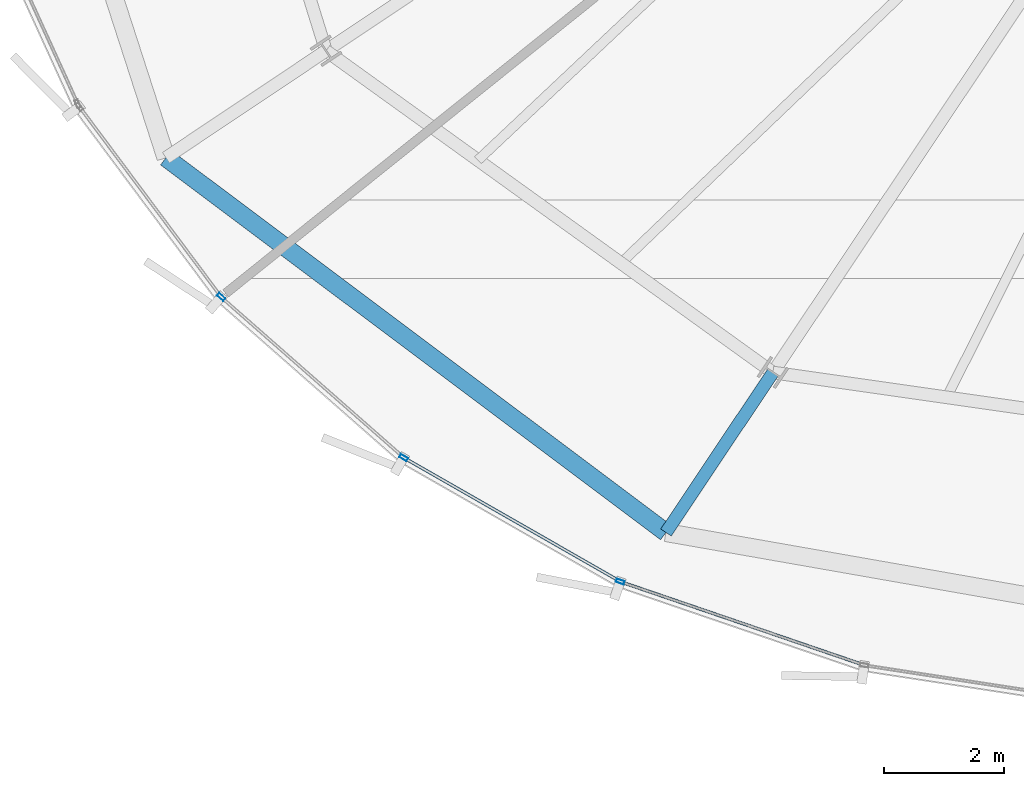
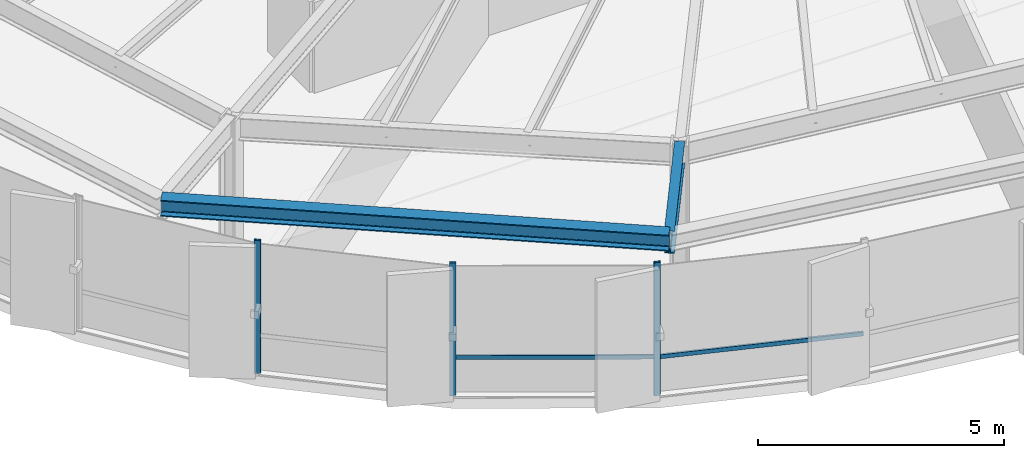
# One storey, part 2 of 32: 5 members, 2 beams, 1 element without a shape of its own.
"""IFC4 building model written with IfcOpenShell, lengths in metres."""

from ifc_helpers import new_model, si_unit, direction, frame, origin, origin_2d, place, context, subcontext, project, spatial, hollow_rectangle, i_section, extrude, source, transform, mapped, material, layer, layer_set, material_profile, profile_set, type_object, element, aggregate, save


model = new_model("IFC4")

# Units and contexts
model_context = context("Model", 3, precision=1e-05, world=origin(), true_north=direction((0.0, 1.0)))
body_context = subcontext(model_context, "Body", "Model", "MODEL_VIEW")
ifc_project = project(units=[si_unit("LENGTHUNIT", "METRE"), si_unit("AREAUNIT", "SQUARE_METRE"), si_unit("VOLUMEUNIT", "CUBIC_METRE"), si_unit("PLANEANGLEUNIT", "RADIAN"), si_unit("MASSUNIT", "GRAM", prefix="KILO"), si_unit("THERMODYNAMICTEMPERATUREUNIT", "KELVIN")], contexts=[model_context])

# Site, building, storey
site_placement = place(None, origin())
site = spatial("IfcSite", under=ifc_project, at=site_placement, CompositionType="ELEMENT")
building_placement = place(site_placement, origin())
building = spatial("IfcBuilding", under=site, at=building_placement, Name="Kethvar Cultural Tower", CompositionType="ELEMENT")
storey_placement = place(building_placement, frame((0.0, 0.0, 157.199951171875)))
storey = spatial("IfcBuildingStorey", under=building, at=storey_placement, Name="L40", CompositionType="ELEMENT", Elevation=157.199951171875)

# Beams
ifc_material_1 = material(Name="Steel S355J2", Category="steel")
ifc_material_profile_1 = material_profile(ifc_material_1, i_section(OverallWidth=0.2099609375, OverallDepth=0.550048828125, WebThickness=0.010986328125, FlangeThickness=0.01708984375, FilletRadius=0.02392578125, at=origin_2d()), Name="Steel S355J2 — IPE550")
ifc_profile_set_1 = profile_set([ifc_material_profile_1], Name="Steel S355J2 — IPE550")
beam_type_1 = type_object("IfcBeamType", Name="BM-IPE550", PredefinedType="BEAM", material=ifc_profile_set_1)
shared_shape_1 = source(origin(), body_context, "Body", "SweptSolid", [
    extrude(i_section(OverallWidth=0.2099609375, OverallDepth=0.550048828125, WebThickness=0.010986328125, FlangeThickness=0.01708984375, FilletRadius=0.02392578125, at=origin_2d()), origin(), (0.0, 0.0, 1.0), 3.199951171875),
])
beam_1_placement = place(storey_placement, frame((34.350830078125, 9.16845703125, 3.02294921875), z_axis=(-0.555580212716, -0.831462943996, 0.0), x_axis=(0.831462943996, -0.555580212716, 0.0)))
element("IfcBeam", 1, at=beam_1_placement, inside=storey, type_object=beam_type_1, Name="L40 Perimeter Cantilever Beam RC-11", PredefinedType="BEAM", context=body_context, shape_type="MappedRepresentation", body=[
    mapped(shared_shape_1, transform((0.0, 0.0, 0.0), scale=1.0)),
])
ifc_material_profile_2 = material_profile(ifc_material_1, i_section(OverallWidth=0.300048828125, OverallDepth=0.39990234375, WebThickness=0.013427734375, FlangeThickness=0.02392578125, FilletRadius=0.027099609375, at=origin_2d()), Name="Steel S355J2 — HEB400")
ifc_profile_set_2 = profile_set([ifc_material_profile_2], Name="Steel S355J2 — HEB400")
beam_type_2 = type_object("IfcBeamType", Name="BM-SP400", PredefinedType="SPANDREL", material=ifc_profile_set_2)
shared_shape_2 = source(origin(), body_context, "Body", "SweptSolid", [
    extrude(i_section(OverallWidth=0.300048828125, OverallDepth=0.39990234375, WebThickness=0.013427734375, FlangeThickness=0.02392578125, FilletRadius=0.027099609375, at=origin_2d()), origin(), (0.0, 0.0, 1.0), 10.38916015625),
])
beam_2_placement = place(storey_placement, frame((24.260009765625, 12.7392578125, 3.09814453125), z_axis=(0.800152249906, -0.599796946449, 0.0), x_axis=(0.599796946449, 0.800152249906, 0.0)))
element("IfcBeam", 2, at=beam_2_placement, inside=storey, type_object=beam_type_2, Name="L40 Perimeter Spandrel Beam SP-10", PredefinedType="SPANDREL", context=body_context, shape_type="MappedRepresentation", body=[
    mapped(shared_shape_2, transform((0.0, 0.0, 0.0), scale=1.0)),
])

# Curtain wall, members
ifc_material_2 = material(Name="Aluminium 6063-T6", Category="aluminium")
ifc_layer = layer(ifc_material_2, 0.179931640625, Name="Aluminium 6063-T6", Category="aluminium")
ifc_layer_set = layer_set([ifc_layer], Name="Aluminium 6063-T6 (180 mm)")
curtain_wall_type = type_object("IfcCurtainWallType", Name="CW-SYS-04-Z34", PredefinedType="NOTDEFINED", material=ifc_layer_set)
curtain_wall_placement = place(storey_placement, origin())
curtain_wall = element("IfcCurtainWall", 3, at=curtain_wall_placement, inside=storey, type_object=curtain_wall_type, Name="L40 Curtain Wall Run 04", PredefinedType="NOTDEFINED")
ifc_material_profile_3 = material_profile(ifc_material_2, hollow_rectangle(XDim=0.06005859375, YDim=0.139892578125, WallThickness=0.0048828125, at=origin_2d()), Name="Aluminium 6063-T6 — RHS140x60x5")
ifc_profile_set_3 = profile_set([ifc_material_profile_3], Name="Aluminium 6063-T6 — RHS140x60x5")
member_type_1 = type_object("IfcMemberType", Name="CW-SYS-04-Z34-MUL", PredefinedType="MULLION", material=ifc_profile_set_3)
shared_shape_3 = source(origin(), body_context, "Body", "SweptSolid", [
    extrude(hollow_rectangle(XDim=0.06005859375, YDim=0.139892578125, WallThickness=0.0048828125, at=origin_2d()), origin(), (0.0, 0.0, 1.0), 3.300048828125),
])
member_1_placement = place(storey_placement, frame((25.176025390625, 10.422607421875, 0.0), z_axis=(0.0, 0.0, 1.0), x_axis=(0.660014779893, 0.751252614187, 0.0)))
member_1 = element("IfcMember", 4, at=member_1_placement, type_object=member_type_1, Name="CW-L40-R04 Mullion 2", PredefinedType="MULLION", context=body_context, shape_type="MappedRepresentation", body=[
    mapped(shared_shape_3, transform((0.0, 0.0, 0.0), scale=1.0)),
])
member_2_placement = place(storey_placement, frame((28.211181640625, 7.7529296875, 0.0), z_axis=(0.0, 0.0, 1.0), x_axis=(0.49645893117, 0.86806021085, 0.0)))
member_2 = element("IfcMember", 5, at=member_2_placement, type_object=member_type_1, Name="CW-L40-R04 Mullion 3", PredefinedType="MULLION", context=body_context, shape_type="MappedRepresentation", body=[
    mapped(shared_shape_3, transform((0.0, 0.0, 0.0), scale=1.0)),
])
member_3_placement = place(storey_placement, frame((31.812255859375, 5.691162109375, 0.0), z_axis=(0.0, 0.0, 1.0), x_axis=(0.323884393392, 0.946096665102, 0.0)))
member_3 = element("IfcMember", 6, at=member_3_placement, type_object=member_type_1, Name="CW-L40-R04 Mullion 4", PredefinedType="MULLION", context=body_context, shape_type="MappedRepresentation", body=[
    mapped(shared_shape_3, transform((0.0, 0.0, 0.0), scale=1.0)),
])
ifc_material_profile_4 = material_profile(ifc_material_2, hollow_rectangle(XDim=0.050048828125, YDim=0.10009765625, WallThickness=0.00390625, at=origin_2d()), Name="Aluminium 6063-T6 — RHS100x50x4")
ifc_profile_set_4 = profile_set([ifc_material_profile_4], Name="Aluminium 6063-T6 — RHS100x50x4")
member_type_2 = type_object("IfcMemberType", Name="CW-SYS-04-Z34-TRN", PredefinedType="USERDEFINED", material=ifc_profile_set_4)
shared_shape_4 = source(origin(), body_context, "Body", "SweptSolid", [
    extrude(hollow_rectangle(XDim=0.050048828125, YDim=0.10009765625, WallThickness=0.00390625, at=origin_2d()), origin(), (0.0, 0.0, 1.0), 4.22216796875),
])
member_4_placement = place(storey_placement, frame((31.85302734375, 5.67724609375, 0.949951171875), z_axis=(0.946102452347, -0.323867487813, 0.0), x_axis=(0.323867487813, 0.946102452347, 0.0)))
member_4 = element("IfcMember", 7, at=member_4_placement, type_object=member_type_2, Name="CW-L40-R04 Transom 4", ObjectType="TRANSOM", PredefinedType="USERDEFINED", context=body_context, shape_type="MappedRepresentation", body=[
    mapped(shared_shape_4, transform((0.0, 0.0, 0.0), scale=1.0)),
])
shared_shape_5 = source(origin(), body_context, "Body", "SweptSolid", [
    extrude(hollow_rectangle(XDim=0.050048828125, YDim=0.10009765625, WallThickness=0.00390625, at=origin_2d()), origin(), (0.0, 0.0, 1.0), 4.083740234375),
])
member_5_placement = place(storey_placement, frame((28.248779296875, 7.7314453125, 0.949951171875), z_axis=(0.868066493815, -0.496447945223, 0.0), x_axis=(0.496447945223, 0.868066493815, 0.0)))
member_5 = element("IfcMember", 8, at=member_5_placement, type_object=member_type_2, Name="CW-L40-R04 Transom 3", ObjectType="TRANSOM", PredefinedType="USERDEFINED", context=body_context, shape_type="MappedRepresentation", body=[
    mapped(shared_shape_5, transform((0.0, 0.0, 0.0), scale=1.0)),
])
aggregate(curtain_wall, [member_1, member_2, member_3, member_5, member_4])

save(model, "model.ifc")
